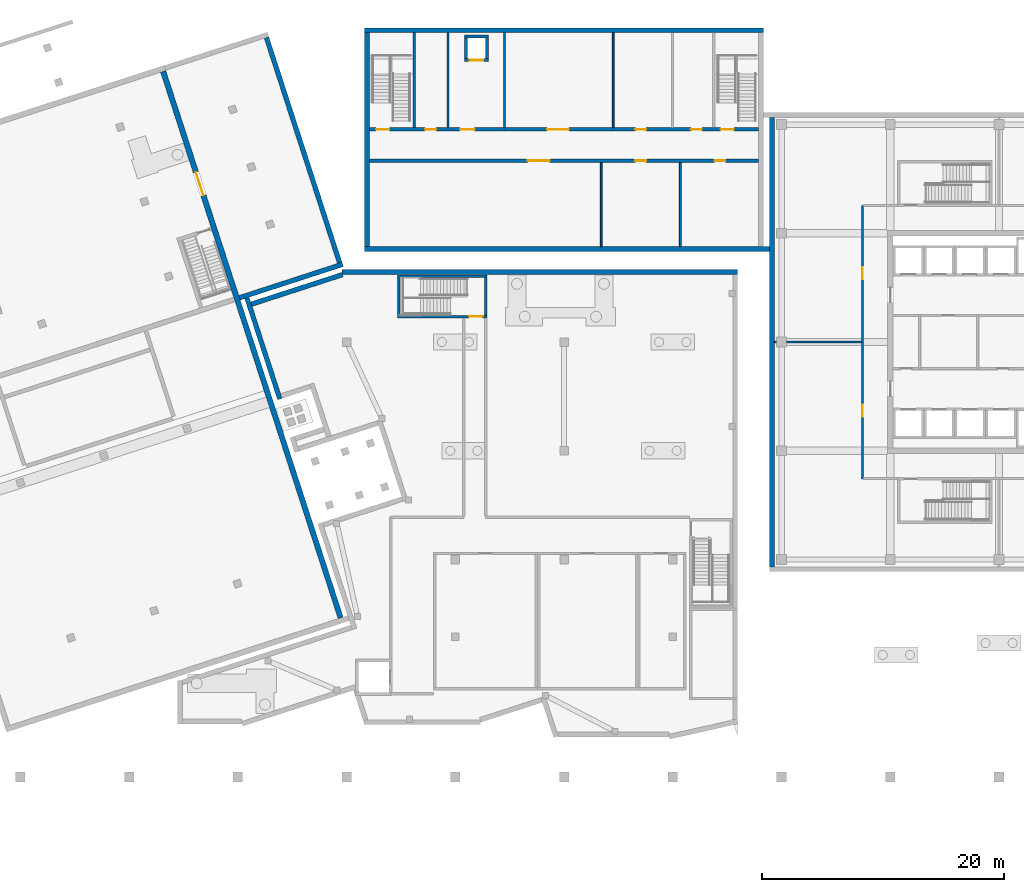
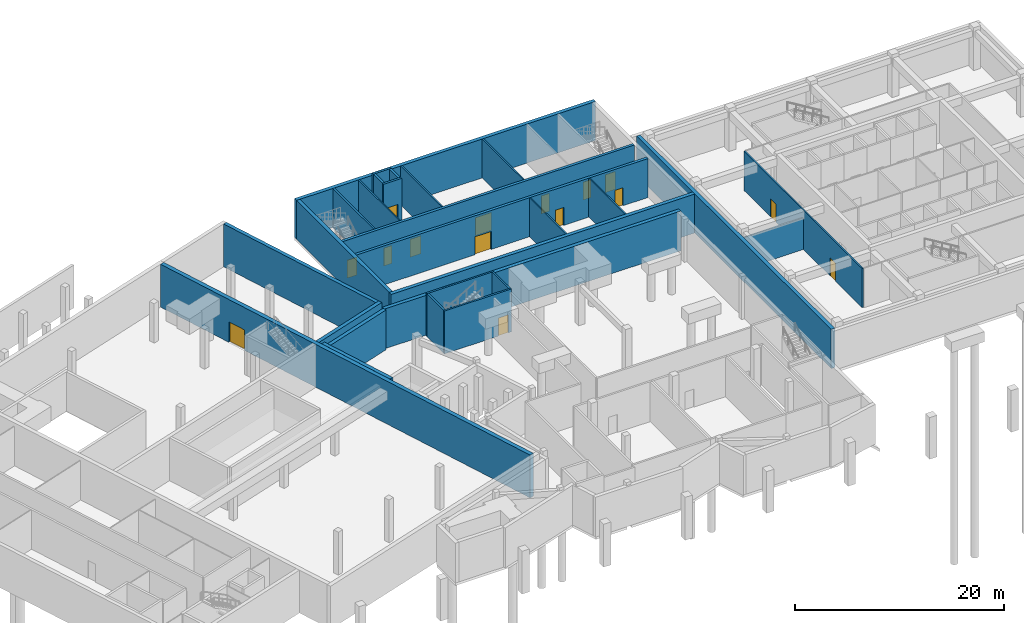
# One storey, part 8 of 15: 28 walls, 15 doors, 15 openings.
"""IFC4 building model written with IfcOpenShell, lengths in metres."""

from ifc_helpers import new_model, si_unit, direction, frame, frame_2d, origin, place, context, subcontext, project, spatial, rectangle, extrude, material, layer, layer_set, type_object, element, fill, save


model = new_model("IFC4")

# Units and contexts
model_context = context("Model", 3, precision=1e-05, world=origin(), true_north=direction((0.0, 1.0)))
body_context = subcontext(model_context, "Body", "Model", "MODEL_VIEW")
ifc_project = project(units=[si_unit("LENGTHUNIT", "METRE"), si_unit("AREAUNIT", "SQUARE_METRE"), si_unit("VOLUMEUNIT", "CUBIC_METRE"), si_unit("PLANEANGLEUNIT", "RADIAN"), si_unit("MASSUNIT", "GRAM", prefix="KILO")], contexts=[model_context])

# Site, building, storey
site_placement = place(None, origin())
site = spatial("IfcSite", under=ifc_project, at=site_placement, CompositionType="ELEMENT")
building_placement = place(site_placement, origin())
building = spatial("IfcBuilding", under=site, at=building_placement, Name="Tuart Plaza Theatre", CompositionType="ELEMENT")
storey_placement = place(building_placement, frame((0.0, 0.0, -5.0)))
storey = spatial("IfcBuildingStorey", under=building, at=storey_placement, Name="B1", CompositionType="ELEMENT", Elevation=-5.0)

# Walls
ifc_material_1 = material(Name="Masonry", Category="masonry")
ifc_layer_1 = layer(ifc_material_1, 0.14990234375)
ifc_layer_set_1 = layer_set([ifc_layer_1], Name="PARTITION BLK150 FRL -/120/120")
wall_type_1 = type_object("IfcWallType", Name="PARTITION BLK150 FRL -/120/120", PredefinedType="PARTITIONING", material=ifc_layer_set_1)
for number, where, z_axis, x_axis, name in (
    (1, (99.074951171875, 81.89990234375, 0.0), (0.0, 0.0, 1.0), (0.0, 1.0, 0.0), "P751"),
    (2, (105.625, 81.89990234375, 0.0), (0.0, 0.0, 1.0), (0.0, 1.0, 0.0), "P752"),
):
    element("IfcWall", number, at=place(storey_placement, frame(where, z_axis=z_axis, x_axis=x_axis)), inside=storey, type_object=wall_type_1, Name=name, PredefinedType="PARTITIONING", context=body_context, shape_type="SweptSolid", body=[
        extrude(rectangle(XDim=6.9501953125, YDim=0.14990234375, at=frame_2d((3.47509765625, 0.0))), origin(), (0.0, 0.0, 1.0), 4.550048828125),
    ])
for number, where, z_axis, x_axis, name in (
    (3, (86.39990234375, 91.75, 0.0), (0.0, 0.0, 1.0), (0.0, 1.0, 0.0), "P753"),
    (4, (91.074951171875, 91.75, 0.0), (0.0, 0.0, 1.0), (0.0, 1.0, 0.0), "P754"),
    (5, (100.074951171875, 91.75, 0.0), (0.0, 0.0, 1.0), (0.0, 1.0, 0.0), "P755"),
):
    element("IfcWall", number, at=place(storey_placement, frame(where, z_axis=z_axis, x_axis=x_axis)), inside=storey, type_object=wall_type_1, Name=name, PredefinedType="PARTITIONING", context=body_context, shape_type="SweptSolid", body=[
        extrude(rectangle(XDim=7.85009765625, YDim=0.14990234375, at=frame_2d((3.925048828125, 0.0))), origin(), (0.0, 0.0, 1.0), 4.550048828125),
    ])

# Wall, openings, doors
ifc_material_2 = material(Name="Masonry block", Category="masonry")
ifc_layer_2 = layer(ifc_material_2, 0.14990234375)
ifc_layer_set_2 = layer_set([ifc_layer_2], Name="PARTITION BLK150 MASONRYB FRL 120/-/-")
wall_type_2 = type_object("IfcWallType", Name="PARTITION BLK150 MASONRYB FRL 120/-/-", PredefinedType="PARTITIONING", material=ifc_layer_set_2)
wall_1_placement = place(storey_placement, frame((120.699951171875, 62.699951171875, 0.0), z_axis=(0.0, 0.0, 1.0), x_axis=(0.0, 1.0, 0.0)))
wall_1 = element("IfcWall", 6, at=wall_1_placement, inside=storey, type_object=wall_type_2, Name="P552", PredefinedType="PARTITIONING", context=body_context, shape_type="SweptSolid", body=[
    extrude(rectangle(XDim=22.60009765625, YDim=0.14990234375, at=frame_2d((11.300048828125, 0.0))), origin(), (0.0, 0.0, 1.0), 4.580078125),
])
opening_1_placement = place(wall_1_placement, frame((5.112548828125, 0.0, 0.0)))
opening_1 = element("IfcOpeningElement", 7, at=opening_1_placement, cuts=wall_1, Name="Opening B1-056", PredefinedType="OPENING", context=body_context, shape_type="SweptSolid", body=[
    extrude(rectangle(XDim=1.0, YDim=2.10009765625, at=frame_2d((0.5, 1.050048828125))), frame((0.0, 0.0849609375, 0.0), z_axis=(0.0, -1.0, 0.0), x_axis=(1.0, 0.0, 0.0)), (0.0, 0.0, 1.0), 0.169921875),
])
opening_2_placement = place(wall_1_placement, frame((16.487548828125, 0.0, 0.0)))
opening_2 = element("IfcOpeningElement", 8, at=opening_2_placement, cuts=wall_1, Name="Opening B1-057", PredefinedType="OPENING", context=body_context, shape_type="SweptSolid", body=[
    extrude(rectangle(XDim=1.0, YDim=2.10009765625, at=frame_2d((0.5, 1.050048828125))), frame((0.0, 0.0849609375, 0.0), z_axis=(0.0, -1.0, 0.0), x_axis=(1.0, 0.0, 0.0)), (0.0, 0.0, 1.0), 0.169921875),
])
ifc_material_3 = material(Name="Timber", Category="wood")
door_type_1 = type_object("IfcDoorType", Name="DOOR 1000x2100 timber single swing FRL -/60/30", OperationType="SINGLE_SWING_LEFT", PredefinedType="DOOR", material=ifc_material_3)
door_1_placement = place(opening_1_placement, origin())
door_1 = element("IfcDoor", 9, at=door_1_placement, inside=storey, type_object=door_type_1, Name="B1-056", OperationType="SINGLE_SWING_RIGHT", OverallHeight=2.10009765625, OverallWidth=1.0, PredefinedType="DOOR", context=body_context, shape_type="SweptSolid", body=[
    extrude(rectangle(XDim=1.0, YDim=2.10009765625, at=frame_2d((0.5, 1.050048828125))), frame((0.0, 0.02490234375, 0.0), z_axis=(0.0, -1.0, 0.0), x_axis=(1.0, 0.0, 0.0)), (0.0, 0.0, 1.0), 0.050048828125),
])
fill(opening_1, door_1)
door_2_placement = place(opening_2_placement, origin())
door_2 = element("IfcDoor", 10, at=door_2_placement, inside=storey, type_object=door_type_1, Name="B1-057", OperationType="SINGLE_SWING_LEFT", OverallHeight=2.10009765625, OverallWidth=1.0, PredefinedType="DOOR", context=body_context, shape_type="SweptSolid", body=[
    extrude(rectangle(XDim=1.0, YDim=2.10009765625, at=frame_2d((0.5, 1.050048828125))), frame((0.0, 0.02490234375, 0.0), z_axis=(0.0, -1.0, 0.0), x_axis=(1.0, 0.0, 0.0)), (0.0, 0.0, 1.0), 0.050048828125),
])
fill(opening_2, door_2)

# Wall
wall_2_placement = place(storey_placement, frame((113.39892578125, 74.0, 0.0), z_axis=(0.0, 0.0, 1.0), x_axis=(1.0, 0.0, 0.0)))
element("IfcWall", 11, at=wall_2_placement, inside=storey, type_object=wall_type_2, Name="P560", PredefinedType="PARTITIONING", context=body_context, shape_type="SweptSolid", body=[
    extrude(rectangle(XDim=7.22705078125, YDim=0.14990234375, at=frame_2d((3.613525390625, 0.0))), origin(), (0.0, 0.0, 1.0), 3.679931640625),
])

# Wall, opening, door
ifc_material_4 = material(Name="Concrete N40 (40 MPa)", Category="concrete")
ifc_layer_3 = layer(ifc_material_4, 0.199951171875)
ifc_layer_set_3 = layer_set([ifc_layer_3], Name="SHEAR WALL RC200 FRL 120/120/120")
wall_type_3 = type_object("IfcWallType", Name="SHEAR WALL RC200 FRL 120/120/120", PredefinedType="SHEAR", material=ifc_layer_set_3)
wall_3_placement = place(storey_placement, frame((82.199951171875, 76.10009765625, 0.0), z_axis=(0.0, 0.0, 1.0), x_axis=(1.0, 0.0, 0.0)))
wall_3 = element("IfcWall", 12, at=wall_3_placement, inside=storey, type_object=wall_type_3, Name="W263", PredefinedType="SHEAR", context=body_context, shape_type="SweptSolid", body=[
    extrude(rectangle(XDim=7.400146484375, YDim=0.199951171875, at=frame_2d((3.7001953125, 0.0))), origin(), (0.0, 0.0, 1.0), 5.0),
])
opening_3_placement = place(wall_3_placement, frame((5.949951171875, 0.0, 0.0)))
opening_3 = element("IfcOpeningElement", 13, at=opening_3_placement, cuts=wall_3, Name="Opening B1-027", PredefinedType="OPENING", context=body_context, shape_type="SweptSolid", body=[
    extrude(rectangle(XDim=1.10009765625, YDim=2.10009765625, at=frame_2d((0.550048828125, 1.050048828125))), frame((0.0, 0.10986328125, 0.0), z_axis=(0.0, -1.0, 0.0), x_axis=(1.0, 0.0, 0.0)), (0.0, 0.0, 1.0), 0.219970703125),
])
ifc_material_5 = material(Name="Steel Grade 300", Category="steel")
door_type_2 = type_object("IfcDoorType", Name="DOOR 1100x2100 steel single swing FRL -/120/30", OperationType="SINGLE_SWING_LEFT", PredefinedType="DOOR", material=ifc_material_5)
door_3_placement = place(opening_3_placement, origin())
door_3 = element("IfcDoor", 14, at=door_3_placement, inside=storey, type_object=door_type_2, Name="B1-027", OperationType="SINGLE_SWING_LEFT", OverallHeight=2.10009765625, OverallWidth=1.10009765625, PredefinedType="DOOR", context=body_context, shape_type="SweptSolid", body=[
    extrude(rectangle(XDim=1.10009765625, YDim=2.10009765625, at=frame_2d((0.550048828125, 1.050048828125))), frame((0.0, 0.02490234375, 0.0), z_axis=(0.0, -1.0, 0.0), x_axis=(1.0, 0.0, 0.0)), (0.0, 0.0, 1.0), 0.050048828125),
])
fill(opening_3, door_3)

# Walls
wall_4_placement = place(storey_placement, frame((89.60009765625, 79.449951171875, 0.0), z_axis=(0.0, 0.0, 1.0), x_axis=(-1.0, 0.0, 0.0)))
element("IfcWall", 15, at=wall_4_placement, inside=storey, type_object=wall_type_3, Name="W264", PredefinedType="SHEAR", context=body_context, shape_type="SweptSolid", body=[
    extrude(rectangle(XDim=7.400146484375, YDim=0.199951171875, at=frame_2d((3.7001953125, 0.0))), origin(), (0.0, 0.0, 1.0), 5.0),
])
for number, where, z_axis, x_axis, name in (
    (16, (82.300048828125, 79.35009765625, 0.0), (0.0, 0.0, 1.0), (0.0, -1.0, 0.0), "W265"),
    (17, (89.5, 76.199951171875, 0.0), (0.0, 0.0, 1.0), (0.0, 1.0, 0.0), "W266"),
):
    element("IfcWall", number, at=place(storey_placement, frame(where, z_axis=z_axis, x_axis=x_axis)), inside=storey, type_object=wall_type_3, Name=name, PredefinedType="SHEAR", context=body_context, shape_type="SweptSolid", body=[
        extrude(rectangle(XDim=3.150146484375, YDim=0.199951171875, at=frame_2d((1.5751953125, 0.0))), origin(), (0.0, 0.0, 1.0), 5.0),
    ])

# Wall, opening, door
ifc_material_6 = material(Name="Concrete N40 (40 MPa)", Category="concrete")
ifc_layer_4 = layer(ifc_material_6, 0.25)
ifc_layer_set_4 = layer_set([ifc_layer_4], Name="SHEAR WALL RC250 FRL 120/120/120")
wall_type_4 = type_object("IfcWallType", Name="SHEAR WALL RC250 FRL 120/120/120", PredefinedType="SHEAR", material=ifc_layer_set_4)
wall_5_placement = place(storey_placement, frame((87.739990234375, 97.324951171875, 0.0), z_axis=(0.0, 0.0, 1.0), x_axis=(1.0, 0.0, 0.0)))
wall_5 = element("IfcWall", 18, at=wall_5_placement, inside=storey, type_object=wall_type_4, Name="W479", PredefinedType="SHEAR", context=body_context, shape_type="SweptSolid", body=[
    extrude(rectangle(XDim=2.0, YDim=0.25, at=frame_2d((1.0, 0.0))), origin(), (0.0, 0.0, 1.0), 5.0),
])
opening_4_placement = place(wall_5_placement, frame((0.449951171875, 0.0, 0.0)))
opening_4 = element("IfcOpeningElement", 19, at=opening_4_placement, cuts=wall_5, Name="Opening B1-004", PredefinedType="OPENING", context=body_context, shape_type="SweptSolid", body=[
    extrude(rectangle(XDim=1.10009765625, YDim=2.10009765625, at=frame_2d((0.550048828125, 1.050048828125))), frame((0.0, 0.135009765625, 0.0), z_axis=(0.0, -1.0, 0.0), x_axis=(1.0, 0.0, 0.0)), (0.0, 0.0, 1.0), 0.27001953125),
])
ifc_material_7 = material(Name="Steel Grade 300", Category="steel")
door_type_3 = type_object("IfcDoorType", Name="LANDING DOOR 1100x2100 steel sliding FRL -/120/30", OperationType="SLIDING_TO_LEFT", PredefinedType="DOOR", material=ifc_material_7)
door_4_placement = place(opening_4_placement, origin())
door_4 = element("IfcDoor", 20, at=door_4_placement, inside=storey, type_object=door_type_3, Name="B1-004", OperationType="SLIDING_TO_LEFT", OverallHeight=2.10009765625, OverallWidth=1.10009765625, PredefinedType="DOOR", context=body_context, shape_type="SweptSolid", body=[
    extrude(rectangle(XDim=1.10009765625, YDim=2.10009765625, at=frame_2d((0.550048828125, 1.050048828125))), frame((0.0, 0.02490234375, 0.0), z_axis=(0.0, -1.0, 0.0), x_axis=(1.0, 0.0, 0.0)), (0.0, 0.0, 1.0), 0.050048828125),
])
fill(opening_4, door_4)

# Walls
wall_6_placement = place(storey_placement, frame((89.614990234375, 97.449951171875, 0.0), z_axis=(0.0, 0.0, 1.0), x_axis=(0.0, 1.0, 0.0)))
element("IfcWall", 21, at=wall_6_placement, inside=storey, type_object=wall_type_4, Name="W480", PredefinedType="SHEAR", context=body_context, shape_type="SweptSolid", body=[
    extrude(rectangle(XDim=1.699951171875, YDim=0.25, at=frame_2d((0.85009765625, 0.0))), origin(), (0.0, 0.0, 1.0), 5.0),
])
wall_7_placement = place(storey_placement, frame((89.739990234375, 99.27490234375, 0.0), z_axis=(0.0, 0.0, 1.0), x_axis=(-1.0, 0.0, 0.0)))
element("IfcWall", 22, at=wall_7_placement, inside=storey, type_object=wall_type_4, Name="W481", PredefinedType="SHEAR", context=body_context, shape_type="SweptSolid", body=[
    extrude(rectangle(XDim=2.0, YDim=0.25, at=frame_2d((1.0, 0.0))), origin(), (0.0, 0.0, 1.0), 5.0),
])
wall_8_placement = place(storey_placement, frame((87.864990234375, 99.14990234375, 0.0), z_axis=(0.0, 0.0, 1.0), x_axis=(0.0, -1.0, 0.0)))
element("IfcWall", 23, at=wall_8_placement, inside=storey, type_object=wall_type_4, Name="W482", PredefinedType="SHEAR", context=body_context, shape_type="SweptSolid", body=[
    extrude(rectangle(XDim=1.699951171875, YDim=0.25, at=frame_2d((0.85009765625, 0.0))), origin(), (0.0, 0.0, 1.0), 5.0),
])

# Wall, openings, doors
ifc_material_8 = material(Name="Concrete N40 (40 MPa)", Category="concrete")
ifc_layer_5 = layer(ifc_material_8, 0.300048828125)
ifc_layer_set_5 = layer_set([ifc_layer_5], Name="SHEAR WALL RC300 FRL 120/-/-")
wall_type_5 = type_object("IfcWallType", Name="SHEAR WALL RC300 FRL 120/-/-", PredefinedType="SHEAR", material=ifc_layer_set_5)
wall_9_placement = place(storey_placement, frame((79.89990234375, 89.0, 0.0), z_axis=(0.0, 0.0, 1.0), x_axis=(1.0, 0.0, 0.0)))
wall_9 = element("IfcWall", 24, at=wall_9_placement, inside=storey, type_object=wall_type_5, Name="W473", PredefinedType="SHEAR", context=body_context, shape_type="SweptSolid", body=[
    extrude(rectangle(XDim=32.2001953125, YDim=0.300048828125, at=frame_2d((16.10009765625, 0.0))), origin(), (0.0, 0.0, 1.0), 4.550048828125),
])
opening_5_placement = place(wall_9_placement, frame((13.10009765625, 0.0, 0.0)))
opening_5 = element("IfcOpeningElement", 25, at=opening_5_placement, cuts=wall_9, Name="Opening B1-059", PredefinedType="OPENING", context=body_context, shape_type="SweptSolid", body=[
    extrude(rectangle(XDim=1.800048828125, YDim=2.10009765625, at=frame_2d((0.89990234375, 1.050048828125))), frame((0.0, 0.159912109375, 0.0), z_axis=(0.0, -1.0, 0.0), x_axis=(1.0, 0.0, 0.0)), (0.0, 0.0, 1.0), 0.320068359375),
])
opening_6_placement = place(wall_9_placement, frame((22.0, 0.0, 0.0)))
opening_6 = element("IfcOpeningElement", 26, at=opening_6_placement, cuts=wall_9, Name="Opening B1-060", PredefinedType="OPENING", context=body_context, shape_type="SweptSolid", body=[
    extrude(rectangle(XDim=0.89990234375, YDim=2.10009765625, at=frame_2d((0.449951171875, 1.050048828125))), frame((0.0, 0.159912109375, 0.0), z_axis=(0.0, -1.0, 0.0), x_axis=(1.0, 0.0, 0.0)), (0.0, 0.0, 1.0), 0.320068359375),
])
opening_7_placement = place(wall_9_placement, frame((28.550048828125, 0.0, 0.0)))
opening_7 = element("IfcOpeningElement", 27, at=opening_7_placement, cuts=wall_9, Name="Opening B1-061", PredefinedType="OPENING", context=body_context, shape_type="SweptSolid", body=[
    extrude(rectangle(XDim=0.89990234375, YDim=2.10009765625, at=frame_2d((0.449951171875, 1.050048828125))), frame((0.0, 0.159912109375, 0.0), z_axis=(0.0, -1.0, 0.0), x_axis=(1.0, 0.0, 0.0)), (0.0, 0.0, 1.0), 0.320068359375),
])
ifc_material_9 = material(Name="Timber", Category="wood")
door_type_4 = type_object("IfcDoorType", Name="DOOR 1800x2100 timber double swing FRL -/60/30", OperationType="DOUBLE_DOOR_SINGLE_SWING", PredefinedType="DOOR", material=ifc_material_9)
door_5_placement = place(opening_5_placement, frame((1.800048828125, 0.0, 0.0), z_axis=(0.0, 0.0, 1.0), x_axis=(-1.0, 0.0, 0.0)))
door_5 = element("IfcDoor", 28, at=door_5_placement, inside=storey, type_object=door_type_4, Name="B1-059", OperationType="DOUBLE_DOOR_SINGLE_SWING", OverallHeight=2.10009765625, OverallWidth=1.800048828125, PredefinedType="DOOR", context=body_context, shape_type="SweptSolid", body=[
    extrude(rectangle(XDim=1.800048828125, YDim=2.10009765625, at=frame_2d((0.89990234375, 1.050048828125))), frame((0.0, 0.02490234375, 0.0), z_axis=(0.0, -1.0, 0.0), x_axis=(1.0, 0.0, 0.0)), (0.0, 0.0, 1.0), 0.050048828125),
])
fill(opening_5, door_5)
ifc_material_10 = material(Name="Timber", Category="wood")
door_type_5 = type_object("IfcDoorType", Name="DOOR 900x2100 timber single swing FRL -/60/30", OperationType="SINGLE_SWING_LEFT", PredefinedType="DOOR", material=ifc_material_10)
door_6_placement = place(opening_6_placement, frame((0.89990234375, 0.0, 0.0), z_axis=(0.0, 0.0, 1.0), x_axis=(-1.0, 0.0, 0.0)))
door_6 = element("IfcDoor", 29, at=door_6_placement, inside=storey, type_object=door_type_5, Name="B1-060", OperationType="SINGLE_SWING_RIGHT", OverallHeight=2.10009765625, OverallWidth=0.89990234375, PredefinedType="DOOR", context=body_context, shape_type="SweptSolid", body=[
    extrude(rectangle(XDim=0.89990234375, YDim=2.10009765625, at=frame_2d((0.449951171875, 1.050048828125))), frame((0.0, 0.02490234375, 0.0), z_axis=(0.0, -1.0, 0.0), x_axis=(1.0, 0.0, 0.0)), (0.0, 0.0, 1.0), 0.050048828125),
])
fill(opening_6, door_6)
door_7_placement = place(opening_7_placement, frame((0.89990234375, 0.0, 0.0), z_axis=(0.0, 0.0, 1.0), x_axis=(-1.0, 0.0, 0.0)))
door_7 = element("IfcDoor", 30, at=door_7_placement, inside=storey, type_object=door_type_5, Name="B1-061", OperationType="SINGLE_SWING_RIGHT", OverallHeight=2.10009765625, OverallWidth=0.89990234375, PredefinedType="DOOR", context=body_context, shape_type="SweptSolid", body=[
    extrude(rectangle(XDim=0.89990234375, YDim=2.10009765625, at=frame_2d((0.449951171875, 1.050048828125))), frame((0.0, 0.02490234375, 0.0), z_axis=(0.0, -1.0, 0.0), x_axis=(1.0, 0.0, 0.0)), (0.0, 0.0, 1.0), 0.050048828125),
])
fill(opening_7, door_7)

wall_10_placement = place(storey_placement, frame((79.89990234375, 91.60009765625, 0.0), z_axis=(0.0, 0.0, 1.0), x_axis=(1.0, 0.0, 0.0)))
wall_10 = element("IfcWall", 31, at=wall_10_placement, inside=storey, type_object=wall_type_5, Name="W474", PredefinedType="SHEAR", context=body_context, shape_type="SweptSolid", body=[
    extrude(rectangle(XDim=32.2001953125, YDim=0.300048828125, at=frame_2d((16.10009765625, 0.0))), origin(), (0.0, 0.0, 1.0), 4.550048828125),
])
opening_8_placement = place(wall_10_placement, frame((0.550048828125, 0.0, 0.0)))
opening_8 = element("IfcOpeningElement", 32, at=opening_8_placement, cuts=wall_10, Name="Opening B1-062", PredefinedType="OPENING", context=body_context, shape_type="SweptSolid", body=[
    extrude(rectangle(XDim=1.10009765625, YDim=2.10009765625, at=frame_2d((0.550048828125, 1.050048828125))), frame((0.0, 0.159912109375, 0.0), z_axis=(0.0, -1.0, 0.0), x_axis=(1.0, 0.0, 0.0)), (0.0, 0.0, 1.0), 0.320068359375),
])
opening_9_placement = place(wall_10_placement, frame((4.60009765625, 0.0, 0.0)))
opening_9 = element("IfcOpeningElement", 33, at=opening_9_placement, cuts=wall_10, Name="Opening B1-063", PredefinedType="OPENING", context=body_context, shape_type="SweptSolid", body=[
    extrude(rectangle(XDim=0.89990234375, YDim=2.10009765625, at=frame_2d((0.449951171875, 1.050048828125))), frame((0.0, 0.159912109375, 0.0), z_axis=(0.0, -1.0, 0.0), x_axis=(1.0, 0.0, 0.0)), (0.0, 0.0, 1.0), 0.320068359375),
])
opening_10_placement = place(wall_10_placement, frame((7.5, 0.0, 0.0)))
opening_10 = element("IfcOpeningElement", 34, at=opening_10_placement, cuts=wall_10, Name="Opening B1-064", PredefinedType="OPENING", context=body_context, shape_type="SweptSolid", body=[
    extrude(rectangle(XDim=1.199951171875, YDim=2.10009765625, at=frame_2d((0.60009765625, 1.050048828125))), frame((0.0, 0.159912109375, 0.0), z_axis=(0.0, -1.0, 0.0), x_axis=(1.0, 0.0, 0.0)), (0.0, 0.0, 1.0), 0.320068359375),
])
opening_11_placement = place(wall_10_placement, frame((14.699951171875, 0.0, 0.0)))
opening_11 = element("IfcOpeningElement", 35, at=opening_11_placement, cuts=wall_10, Name="Opening B1-065", PredefinedType="OPENING", context=body_context, shape_type="SweptSolid", body=[
    extrude(rectangle(XDim=1.800048828125, YDim=2.10009765625, at=frame_2d((0.89990234375, 1.050048828125))), frame((0.0, 0.159912109375, 0.0), z_axis=(0.0, -1.0, 0.0), x_axis=(1.0, 0.0, 0.0)), (0.0, 0.0, 1.0), 0.320068359375),
])
opening_12_placement = place(wall_10_placement, frame((22.0, 0.0, 0.0)))
opening_12 = element("IfcOpeningElement", 36, at=opening_12_placement, cuts=wall_10, Name="Opening B1-066", PredefinedType="OPENING", context=body_context, shape_type="SweptSolid", body=[
    extrude(rectangle(XDim=0.89990234375, YDim=2.10009765625, at=frame_2d((0.449951171875, 1.050048828125))), frame((0.0, 0.159912109375, 0.0), z_axis=(0.0, -1.0, 0.0), x_axis=(1.0, 0.0, 0.0)), (0.0, 0.0, 1.0), 0.320068359375),
])
opening_13_placement = place(wall_10_placement, frame((26.60009765625, 0.0, 0.0)))
opening_13 = element("IfcOpeningElement", 37, at=opening_13_placement, cuts=wall_10, Name="Opening B1-067", PredefinedType="OPENING", context=body_context, shape_type="SweptSolid", body=[
    extrude(rectangle(XDim=0.89990234375, YDim=2.10009765625, at=frame_2d((0.449951171875, 1.050048828125))), frame((0.0, 0.159912109375, 0.0), z_axis=(0.0, -1.0, 0.0), x_axis=(1.0, 0.0, 0.0)), (0.0, 0.0, 1.0), 0.320068359375),
])
opening_14_placement = place(wall_10_placement, frame((29.050048828125, 0.0, 0.0)))
opening_14 = element("IfcOpeningElement", 38, at=opening_14_placement, cuts=wall_10, Name="Opening B1-068", PredefinedType="OPENING", context=body_context, shape_type="SweptSolid", body=[
    extrude(rectangle(XDim=1.10009765625, YDim=2.10009765625, at=frame_2d((0.550048828125, 1.050048828125))), frame((0.0, 0.159912109375, 0.0), z_axis=(0.0, -1.0, 0.0), x_axis=(1.0, 0.0, 0.0)), (0.0, 0.0, 1.0), 0.320068359375),
])
ifc_material_11 = material(Name="Timber", Category="wood")
door_type_6 = type_object("IfcDoorType", Name="DOOR 1100x2100 timber single swing FRL -/120/30", OperationType="SINGLE_SWING_LEFT", PredefinedType="DOOR", material=ifc_material_11)
door_8_placement = place(opening_8_placement, origin())
door_8 = element("IfcDoor", 39, at=door_8_placement, inside=storey, type_object=door_type_6, Name="B1-062", OperationType="SINGLE_SWING_RIGHT", OverallHeight=2.10009765625, OverallWidth=1.10009765625, PredefinedType="DOOR", context=body_context, shape_type="SweptSolid", body=[
    extrude(rectangle(XDim=1.10009765625, YDim=2.10009765625, at=frame_2d((0.550048828125, 1.050048828125))), frame((0.0, 0.02490234375, 0.0), z_axis=(0.0, -1.0, 0.0), x_axis=(1.0, 0.0, 0.0)), (0.0, 0.0, 1.0), 0.050048828125),
])
fill(opening_8, door_8)
door_9_placement = place(opening_14_placement, origin())
door_9 = element("IfcDoor", 40, at=door_9_placement, inside=storey, type_object=door_type_6, Name="B1-068", OperationType="SINGLE_SWING_RIGHT", OverallHeight=2.10009765625, OverallWidth=1.10009765625, PredefinedType="DOOR", context=body_context, shape_type="SweptSolid", body=[
    extrude(rectangle(XDim=1.10009765625, YDim=2.10009765625, at=frame_2d((0.550048828125, 1.050048828125))), frame((0.0, 0.02490234375, 0.0), z_axis=(0.0, -1.0, 0.0), x_axis=(1.0, 0.0, 0.0)), (0.0, 0.0, 1.0), 0.050048828125),
])
fill(opening_14, door_9)
ifc_material_12 = material(Name="Timber", Category="wood")
door_type_7 = type_object("IfcDoorType", Name="DOOR 1200x2100 timber double swing FRL -/60/30", OperationType="DOUBLE_DOOR_SINGLE_SWING", PredefinedType="DOOR", material=ifc_material_12)
door_10_placement = place(opening_10_placement, frame((1.199951171875, 0.0, 0.0), z_axis=(0.0, 0.0, 1.0), x_axis=(-1.0, 0.0, 0.0)))
door_10 = element("IfcDoor", 41, at=door_10_placement, inside=storey, type_object=door_type_7, Name="B1-064", OperationType="DOUBLE_DOOR_SINGLE_SWING", OverallHeight=2.10009765625, OverallWidth=1.199951171875, PredefinedType="DOOR", context=body_context, shape_type="SweptSolid", body=[
    extrude(rectangle(XDim=1.199951171875, YDim=2.10009765625, at=frame_2d((0.60009765625, 1.050048828125))), frame((0.0, 0.02490234375, 0.0), z_axis=(0.0, -1.0, 0.0), x_axis=(1.0, 0.0, 0.0)), (0.0, 0.0, 1.0), 0.050048828125),
])
fill(opening_10, door_10)
door_11_placement = place(opening_11_placement, origin())
door_11 = element("IfcDoor", 42, at=door_11_placement, inside=storey, type_object=door_type_4, Name="B1-065", OperationType="DOUBLE_DOOR_SINGLE_SWING", OverallHeight=2.10009765625, OverallWidth=1.800048828125, PredefinedType="DOOR", context=body_context, shape_type="SweptSolid", body=[
    extrude(rectangle(XDim=1.800048828125, YDim=2.10009765625, at=frame_2d((0.89990234375, 1.050048828125))), frame((0.0, 0.02490234375, 0.0), z_axis=(0.0, -1.0, 0.0), x_axis=(1.0, 0.0, 0.0)), (0.0, 0.0, 1.0), 0.050048828125),
])
fill(opening_11, door_11)
door_12_placement = place(opening_9_placement, origin())
door_12 = element("IfcDoor", 43, at=door_12_placement, inside=storey, type_object=door_type_5, Name="B1-063", OperationType="SINGLE_SWING_RIGHT", OverallHeight=2.10009765625, OverallWidth=0.89990234375, PredefinedType="DOOR", context=body_context, shape_type="SweptSolid", body=[
    extrude(rectangle(XDim=0.89990234375, YDim=2.10009765625, at=frame_2d((0.449951171875, 1.050048828125))), frame((0.0, 0.02490234375, 0.0), z_axis=(0.0, -1.0, 0.0), x_axis=(1.0, 0.0, 0.0)), (0.0, 0.0, 1.0), 0.050048828125),
])
fill(opening_9, door_12)
door_13_placement = place(opening_12_placement, origin())
door_13 = element("IfcDoor", 44, at=door_13_placement, inside=storey, type_object=door_type_5, Name="B1-066", OperationType="SINGLE_SWING_RIGHT", OverallHeight=2.10009765625, OverallWidth=0.89990234375, PredefinedType="DOOR", context=body_context, shape_type="SweptSolid", body=[
    extrude(rectangle(XDim=0.89990234375, YDim=2.10009765625, at=frame_2d((0.449951171875, 1.050048828125))), frame((0.0, 0.02490234375, 0.0), z_axis=(0.0, -1.0, 0.0), x_axis=(1.0, 0.0, 0.0)), (0.0, 0.0, 1.0), 0.050048828125),
])
fill(opening_12, door_13)
door_14_placement = place(opening_13_placement, origin())
door_14 = element("IfcDoor", 45, at=door_14_placement, inside=storey, type_object=door_type_5, Name="B1-067", OperationType="SINGLE_SWING_LEFT", OverallHeight=2.10009765625, OverallWidth=0.89990234375, PredefinedType="DOOR", context=body_context, shape_type="SweptSolid", body=[
    extrude(rectangle(XDim=0.89990234375, YDim=2.10009765625, at=frame_2d((0.449951171875, 1.050048828125))), frame((0.0, 0.02490234375, 0.0), z_axis=(0.0, -1.0, 0.0), x_axis=(1.0, 0.0, 0.0)), (0.0, 0.0, 1.0), 0.050048828125),
])
fill(opening_13, door_14)

# Walls
ifc_material_13 = material(Name="Concrete N40 (40 MPa)", Category="concrete")
ifc_layer_6 = layer(ifc_material_13, 0.39990234375)
ifc_layer_set_6 = layer_set([ifc_layer_6], Name="SHEAR WALL RC400 FRL 120/120/120 EXT")
wall_type_6 = type_object("IfcWallType", Name="SHEAR WALL RC400 FRL 120/120/120 EXT", PredefinedType="SHEAR", material=ifc_layer_set_6)
wall_11_placement = place(storey_placement, frame((72.47021484375, 69.27880859375, 0.0), z_axis=(0.0, 0.0, 1.0), x_axis=(-0.309035885645, 0.951050377942, 0.0)))
element("IfcWall", 46, at=wall_11_placement, inside=storey, type_object=wall_type_6, Name="W331", PredefinedType="SHEAR", context=body_context, shape_type="SweptSolid", body=[
    extrude(rectangle(XDim=8.7998046875, YDim=0.39990234375, at=frame_2d((4.39990234375, 0.0))), origin(), (0.0, 0.0, 1.0), 4.64990234375),
])
wall_12_placement = place(storey_placement, frame((70.12646484375, 77.13916015625, 0.0), z_axis=(0.0, 0.0, 1.0), x_axis=(0.951056942633, 0.309015682239, 0.0)))
element("IfcWall", 47, at=wall_12_placement, inside=storey, type_object=wall_type_6, Name="W332", PredefinedType="SHEAR", context=body_context, shape_type="SweptSolid", body=[
    extrude(rectangle(XDim=7.921142578125, YDim=0.39990234375, at=frame_2d((3.96044921875, 0.0))), origin(), (0.0, 0.0, 1.0), 4.64990234375),
])
wall_13_placement = place(storey_placement, frame((77.628173828125, 79.787109375, 0.0), z_axis=(0.0, 0.0, 1.0), x_axis=(1.0, 0.0, 0.0)))
element("IfcWall", 48, at=wall_13_placement, inside=storey, type_object=wall_type_6, Name="W333", PredefinedType="SHEAR", context=body_context, shape_type="SweptSolid", body=[
    extrude(rectangle(XDim=32.73486328125, YDim=0.39990234375, at=frame_2d((16.367431640625, 0.0))), origin(), (0.0, 0.0, 1.0), 4.64990234375),
])

# Wall, opening, door
ifc_material_14 = material(Name="Concrete N50 (50 MPa)", Category="concrete")
ifc_layer_7 = layer(ifc_material_14, 0.449951171875)
ifc_layer_set_7 = layer_set([ifc_layer_7], Name="SHEAR WALL RC450 N50 FRL 120/120/120")
wall_type_7 = type_object("IfcWallType", Name="SHEAR WALL RC450 N50 FRL 120/120/120", PredefinedType="SHEAR", material=ifc_layer_set_7)
wall_14_placement = place(storey_placement, frame((77.51123046875, 51.175537109375, 0.0), z_axis=(0.0, 0.0, 1.0), x_axis=(-0.309019199525, 0.951055799796, 0.0)))
wall_14 = element("IfcWall", 49, at=wall_14_placement, inside=storey, type_object=wall_type_7, Name="W10", PredefinedType="SHEAR", context=body_context, shape_type="SweptSolid", body=[
    extrude(rectangle(XDim=47.550048828125, YDim=0.449951171875, at=frame_2d((23.77490234375, 0.0))), origin(), (0.0, 0.0, 1.0), 5.0),
])
opening_15_placement = place(wall_14_placement, frame((36.77490234375, 0.0, 0.0)))
opening_15 = element("IfcOpeningElement", 50, at=opening_15_placement, cuts=wall_14, Name="Opening B1-025", PredefinedType="OPENING", context=body_context, shape_type="SweptSolid", body=[
    extrude(rectangle(XDim=2.0, YDim=2.39990234375, at=frame_2d((1.0, 1.199951171875))), frame((0.0, 0.23486328125, 0.0), z_axis=(0.0, -1.0, 0.0), x_axis=(1.0, 0.0, 0.0)), (0.0, 0.0, 1.0), 0.469970703125),
])
ifc_material_15 = material(Name="Timber", Category="wood")
door_type_8 = type_object("IfcDoorType", Name="DOOR 2000x2400 timber double swing FRL -/120/30", OperationType="DOUBLE_DOOR_SINGLE_SWING", PredefinedType="DOOR", material=ifc_material_15)
door_15_placement = place(opening_15_placement, frame((2.0, 0.0, 0.0), z_axis=(0.0, 0.0, 1.0), x_axis=(-1.0, 0.0, 0.0)))
door_15 = element("IfcDoor", 51, at=door_15_placement, inside=storey, type_object=door_type_8, Name="B1-025", OperationType="DOUBLE_DOOR_SINGLE_SWING", OverallHeight=2.39990234375, OverallWidth=2.0, PredefinedType="DOOR", context=body_context, shape_type="SweptSolid", body=[
    extrude(rectangle(XDim=2.0, YDim=2.39990234375, at=frame_2d((1.0, 1.199951171875))), frame((0.0, 0.02490234375, 0.0), z_axis=(0.0, -1.0, 0.0), x_axis=(1.0, 0.0, 0.0)), (0.0, 0.0, 1.0), 0.050048828125),
])
fill(opening_15, door_15)

# Walls
ifc_material_16 = material(Name="Concrete N40 (40 MPa)", Category="concrete")
ifc_layer_8 = layer(ifc_material_16, 0.199951171875)
ifc_layer_set_8 = layer_set([ifc_layer_8], Name="WALL RC200 LB FRL 120/120/120")
wall_type_8 = type_object("IfcWallType", Name="WALL RC200 LB FRL 120/120/120", PredefinedType="SOLIDWALL", material=ifc_layer_set_8)
wall_15_placement = place(storey_placement, frame((83.60009765625, 91.75, 0.0), z_axis=(0.0, 0.0, 1.0), x_axis=(0.0, 1.0, 0.0)))
element("IfcWall", 52, at=wall_15_placement, inside=storey, type_object=wall_type_8, Name="W1548", PredefinedType="SOLIDWALL", context=body_context, shape_type="SweptSolid", body=[
    extrude(rectangle(XDim=7.85009765625, YDim=0.199951171875, at=frame_2d((3.925048828125, 0.0))), origin(), (0.0, 0.0, 1.0), 4.550048828125),
])
ifc_material_17 = material(Name="Concrete N40 (40 MPa)", Category="concrete")
ifc_layer_9 = layer(ifc_material_17, 0.39990234375)
ifc_layer_set_9 = layer_set([ifc_layer_9], Name="WALL RC400 LB FRL 120/120/120")
wall_type_9 = type_object("IfcWallType", Name="WALL RC400 LB FRL 120/120/120", PredefinedType="SOLIDWALL", material=ifc_layer_set_9)
wall_16_placement = place(storey_placement, frame((69.14208984375, 77.66064453125, 0.0), z_axis=(0.0, 0.0, 1.0), x_axis=(0.951057854068, 0.309012877105, 0.0)))
element("IfcWall", 53, at=wall_16_placement, inside=storey, type_object=wall_type_9, Name="W17", PredefinedType="SOLIDWALL", context=body_context, shape_type="SweptSolid", body=[
    extrude(rectangle(XDim=8.97509765625, YDim=0.39990234375, at=frame_2d((4.487548828125, 0.0))), origin(), (0.0, 0.0, 1.0), 5.0),
])
wall_17_placement = place(storey_placement, frame((77.42578125, 80.5625, 0.0), z_axis=(0.0, 0.0, 1.0), x_axis=(-0.309013967595, 0.95105749975, 0.0)))
element("IfcWall", 54, at=wall_17_placement, inside=storey, type_object=wall_type_9, Name="W18", PredefinedType="SOLIDWALL", context=body_context, shape_type="SweptSolid", body=[
    extrude(rectangle(XDim=19.599853515625, YDim=0.39990234375, at=frame_2d((9.7998046875, 0.0))), origin(), (0.0, 0.0, 1.0), 5.0),
])
wall_18_placement = place(storey_placement, frame((113.199951171875, 92.60009765625, 0.0), z_axis=(0.0, 0.0, 1.0), x_axis=(0.0, -1.0, 0.0)))
element("IfcWall", 55, at=wall_18_placement, inside=storey, type_object=wall_type_9, Name="W462", PredefinedType="SOLIDWALL", context=body_context, shape_type="SweptSolid", body=[
    extrude(rectangle(XDim=37.2001953125, YDim=0.39990234375, at=frame_2d((18.60009765625, 0.0))), origin(), (0.0, 0.0, 1.0), 4.580078125),
])
ifc_material_18 = material(Name="Concrete N40 (40 MPa)", Category="concrete")
ifc_layer_10 = layer(ifc_material_18, 0.39990234375)
ifc_layer_set_10 = layer_set([ifc_layer_10], Name="WALL RC400 LB FRL 120/120/120 EXT")
wall_type_10 = type_object("IfcWallType", Name="WALL RC400 LB FRL 120/120/120 EXT", PredefinedType="SOLIDWALL", material=ifc_layer_set_10)
wall_19_placement = place(storey_placement, frame((79.5, 81.699951171875, 0.0), z_axis=(0.0, 0.0, 1.0), x_axis=(1.0, 0.0, 0.0)))
element("IfcWall", 56, at=wall_19_placement, inside=storey, type_object=wall_type_10, Name="W469", PredefinedType="SOLIDWALL", context=body_context, shape_type="SweptSolid", body=[
    extrude(rectangle(XDim=33.5, YDim=0.39990234375, at=frame_2d((16.75, 0.0))), origin(), (0.0, 0.0, 1.0), 4.550048828125),
])
wall_20_placement = place(storey_placement, frame((112.5, 99.800048828125, 0.0), z_axis=(0.0, 0.0, 1.0), x_axis=(-1.0, 0.0, 0.0)))
element("IfcWall", 57, at=wall_20_placement, inside=storey, type_object=wall_type_10, Name="W471", PredefinedType="SOLIDWALL", context=body_context, shape_type="SweptSolid", body=[
    extrude(rectangle(XDim=33.0, YDim=0.39990234375, at=frame_2d((16.5, 0.0))), origin(), (0.0, 0.0, 1.0), 4.550048828125),
])
wall_21_placement = place(storey_placement, frame((79.699951171875, 99.60009765625, 0.0), z_axis=(0.0, 0.0, 1.0), x_axis=(0.0, -1.0, 0.0)))
element("IfcWall", 58, at=wall_21_placement, inside=storey, type_object=wall_type_10, Name="W472", PredefinedType="SOLIDWALL", context=body_context, shape_type="SweptSolid", body=[
    extrude(rectangle(XDim=17.7001953125, YDim=0.39990234375, at=frame_2d((8.85009765625, 0.0))), origin(), (0.0, 0.0, 1.0), 4.550048828125),
])

save(model, "model.ifc")
